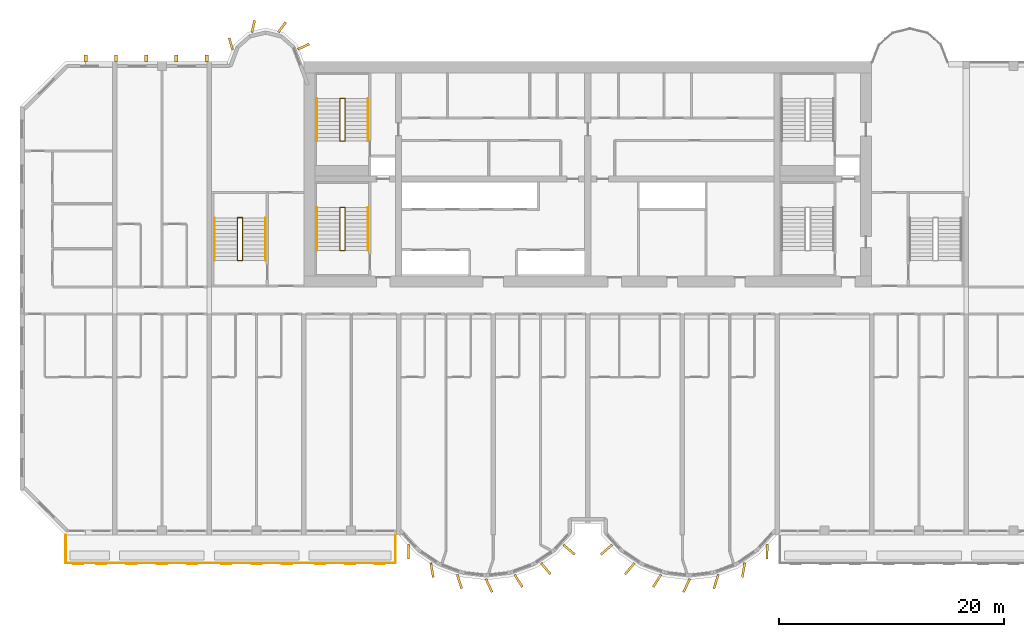
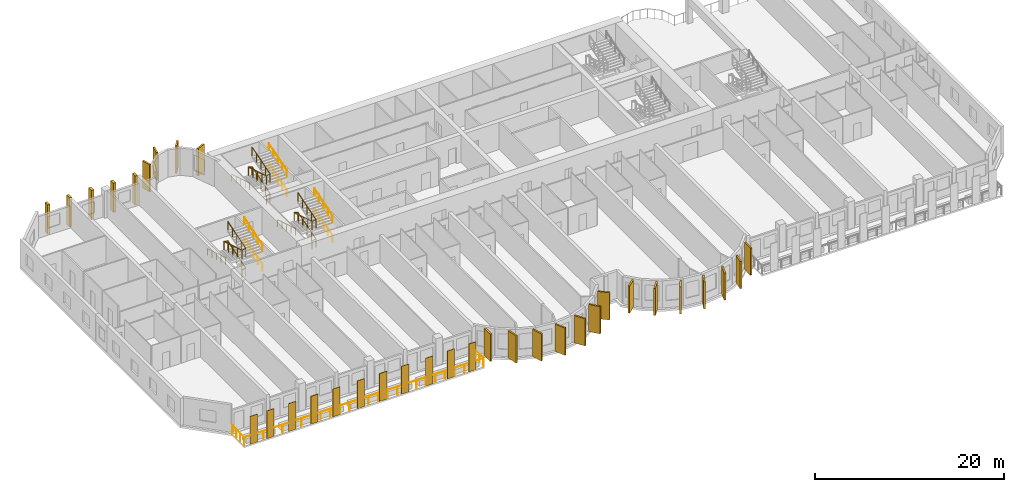
# One storey, part 12 of 14: 34 coverings, 13 railings.
"""IFC4 building model written with IfcOpenShell, lengths in metres."""

from ifc_helpers import new_model, si_unit, direction, frame, origin, origin_2d, place, context, subcontext, project, spatial, rectangle, circle, extrude, source, transform, mapped, material, layer, layer_set, material_profile, profile_set, type_object, element, save


model = new_model("IFC4")

# Units and contexts
model_context = context("Model", 3, precision=1e-05, world=origin(), true_north=direction((0.0, 1.0)))
body_context = subcontext(model_context, "Body", "Model", "MODEL_VIEW")
ifc_project = project(units=[si_unit("LENGTHUNIT", "METRE"), si_unit("AREAUNIT", "SQUARE_METRE"), si_unit("VOLUMEUNIT", "CUBIC_METRE"), si_unit("PLANEANGLEUNIT", "RADIAN"), si_unit("MASSUNIT", "GRAM", prefix="KILO")], contexts=[model_context])

# Site, building, storey
site_placement = place(None, origin())
site = spatial("IfcSite", under=ifc_project, at=site_placement, CompositionType="ELEMENT")
building_placement = place(site_placement, origin())
building = spatial("IfcBuilding", under=site, at=building_placement, Name="Vanashikhar Sky Hotel", CompositionType="ELEMENT")
storey_placement = place(building_placement, frame((0.0, 0.0, 73.39990234375)))
storey = spatial("IfcBuildingStorey", under=building, at=storey_placement, Name="L17", CompositionType="ELEMENT", Elevation=73.39990234375)

# Railing
ifc_material_1 = material(Name="Stainless steel 316", Category="steel")
railing_type_1 = type_object("IfcRailingType", Name="Balcony guard 1100", PredefinedType="GUARDRAIL", material=ifc_material_1)
shared_shape_1 = source(origin(), body_context, "Body", "SweptSolid", [
    extrude(circle(Radius=0.02392578125, at=origin_2d()), frame((0.0, 0.0, 1.076171875), z_axis=(0.0, -1.0, 0.0), x_axis=(1.0, 0.0, 0.0)), (0.0, 0.0, 1.0), 2.5),
    extrude(circle(Radius=0.02392578125, at=origin_2d()), frame((0.0, -2.5, 1.076171875), z_axis=(1.0, 0.0, 0.0), x_axis=(0.0, 1.0, 0.0)), (0.0, 0.0, 1.0), 29.280029296875),
    extrude(circle(Radius=0.02392578125, at=origin_2d()), frame((29.280029296875, -2.5, 1.076171875), z_axis=(0.0, 1.0, 0.0), x_axis=(-1.0, 0.0, 0.0)), (0.0, 0.0, 1.0), 2.5),
    extrude(circle(Radius=0.02099609375, at=origin_2d()), origin(), (0.0, 0.0, 1.0), 1.052001953125),
    extrude(circle(Radius=0.02099609375, at=origin_2d()), frame((0.0, -0.833251953125, 0.0)), (0.0, 0.0, 1.0), 1.052001953125),
    extrude(circle(Radius=0.02099609375, at=origin_2d()), frame((0.0, -1.666748046875, 0.0)), (0.0, 0.0, 1.0), 1.052001953125),
    extrude(circle(Radius=0.02099609375, at=origin_2d()), frame((0.0, -2.5, 0.0)), (0.0, 0.0, 1.0), 1.052001953125),
    extrude(circle(Radius=0.02099609375, at=origin_2d()), frame((1.171142578125, -2.5, 0.0)), (0.0, 0.0, 1.0), 1.052001953125),
    extrude(circle(Radius=0.02099609375, at=origin_2d()), frame((2.34228515625, -2.5, 0.0)), (0.0, 0.0, 1.0), 1.052001953125),
    extrude(circle(Radius=0.02099609375, at=origin_2d()), frame((3.513671875, -2.5, 0.0)), (0.0, 0.0, 1.0), 1.052001953125),
    extrude(circle(Radius=0.02099609375, at=origin_2d()), frame((4.684814453125, -2.5, 0.0)), (0.0, 0.0, 1.0), 1.052001953125),
    extrude(circle(Radius=0.02099609375, at=origin_2d()), frame((5.85595703125, -2.5, 0.0)), (0.0, 0.0, 1.0), 1.052001953125),
    extrude(circle(Radius=0.02099609375, at=origin_2d()), frame((7.027099609375, -2.5, 0.0)), (0.0, 0.0, 1.0), 1.052001953125),
    extrude(circle(Radius=0.02099609375, at=origin_2d()), frame((8.198486328125, -2.5, 0.0)), (0.0, 0.0, 1.0), 1.052001953125),
    extrude(circle(Radius=0.02099609375, at=origin_2d()), frame((9.36962890625, -2.5, 0.0)), (0.0, 0.0, 1.0), 1.052001953125),
    extrude(circle(Radius=0.02099609375, at=origin_2d()), frame((10.540771484375, -2.5, 0.0)), (0.0, 0.0, 1.0), 1.052001953125),
    extrude(circle(Radius=0.02099609375, at=origin_2d()), frame((11.7119140625, -2.5, 0.0)), (0.0, 0.0, 1.0), 1.052001953125),
    extrude(circle(Radius=0.02099609375, at=origin_2d()), frame((12.88330078125, -2.5, 0.0)), (0.0, 0.0, 1.0), 1.052001953125),
    extrude(circle(Radius=0.02099609375, at=origin_2d()), frame((14.054443359375, -2.5, 0.0)), (0.0, 0.0, 1.0), 1.052001953125),
    extrude(circle(Radius=0.02099609375, at=origin_2d()), frame((15.2255859375, -2.5, 0.0)), (0.0, 0.0, 1.0), 1.052001953125),
    extrude(circle(Radius=0.02099609375, at=origin_2d()), frame((16.396728515625, -2.5, 0.0)), (0.0, 0.0, 1.0), 1.052001953125),
    extrude(circle(Radius=0.02099609375, at=origin_2d()), frame((17.568115234375, -2.5, 0.0)), (0.0, 0.0, 1.0), 1.052001953125),
    extrude(circle(Radius=0.02099609375, at=origin_2d()), frame((18.7392578125, -2.5, 0.0)), (0.0, 0.0, 1.0), 1.052001953125),
    extrude(circle(Radius=0.02099609375, at=origin_2d()), frame((19.910400390625, -2.5, 0.0)), (0.0, 0.0, 1.0), 1.052001953125),
    extrude(circle(Radius=0.02099609375, at=origin_2d()), frame((21.08154296875, -2.5, 0.0)), (0.0, 0.0, 1.0), 1.052001953125),
    extrude(circle(Radius=0.02099609375, at=origin_2d()), frame((22.2529296875, -2.5, 0.0)), (0.0, 0.0, 1.0), 1.052001953125),
    extrude(circle(Radius=0.02099609375, at=origin_2d()), frame((23.424072265625, -2.5, 0.0)), (0.0, 0.0, 1.0), 1.052001953125),
    extrude(circle(Radius=0.02099609375, at=origin_2d()), frame((24.59521484375, -2.5, 0.0)), (0.0, 0.0, 1.0), 1.052001953125),
    extrude(circle(Radius=0.02099609375, at=origin_2d()), frame((25.766357421875, -2.5, 0.0)), (0.0, 0.0, 1.0), 1.052001953125),
    extrude(circle(Radius=0.02099609375, at=origin_2d()), frame((26.937744140625, -2.5, 0.0)), (0.0, 0.0, 1.0), 1.052001953125),
    extrude(circle(Radius=0.02099609375, at=origin_2d()), frame((28.10888671875, -2.5, 0.0)), (0.0, 0.0, 1.0), 1.052001953125),
    extrude(circle(Radius=0.02099609375, at=origin_2d()), frame((29.280029296875, -2.5, 0.0)), (0.0, 0.0, 1.0), 1.052001953125),
    extrude(circle(Radius=0.02099609375, at=origin_2d()), frame((29.280029296875, -1.666748046875, 0.0)), (0.0, 0.0, 1.0), 1.052001953125),
    extrude(circle(Radius=0.02099609375, at=origin_2d()), frame((29.280029296875, -0.833251953125, 0.0)), (0.0, 0.0, 1.0), 1.052001953125),
    extrude(circle(Radius=0.02099609375, at=origin_2d()), frame((29.280029296875, 0.0, 0.0)), (0.0, 0.0, 1.0), 1.052001953125),
])
railing_1_placement = place(storey_placement, frame((4.06005859375, 0.0, -0.0498046875)))
element("IfcRailing", 1, at=railing_1_placement, inside=storey, type_object=railing_type_1, Name="Balcony guard", PredefinedType="GUARDRAIL", context=body_context, shape_type="MappedRepresentation", body=[
    mapped(shared_shape_1, transform((0.0, 0.0, 0.0), scale=1.0)),
])

# Coverings
ifc_material_2 = material(Name="Terracotta", Category="masonry")
ifc_layer = layer(ifc_material_2, 0.06005859375)
ifc_layer_set = layer_set([ifc_layer], Name="Terracotta baguette screen")
covering_type_1 = type_object("IfcCoveringType", Name="Terracotta baguette screen", PredefinedType="CLADDING", material=ifc_layer_set)
shared_shape_2 = source(origin(), body_context, "Body", "SweptSolid", [
    extrude(rectangle(XDim=0.89990234375, YDim=0.06005859375, at=origin_2d()), origin(), (0.0, 0.0, 1.0), 3.60009765625),
])
for number, where, z_axis, x_axis, name in (
    (2, (5.175048828125, -2.570068359375, -0.050048828125), (0.0, 0.0, 1.0), (1.0, 0.0, 0.0), "Terracotta screen"),
    (3, (7.22509765625, -2.570068359375, -0.050048828125), (0.0, 0.0, 1.0), (1.0, 0.0, 0.0), "Terracotta screen"),
    (4, (9.89990234375, -2.570068359375, -0.050048828125), (0.0, 0.0, 1.0), (1.0, 0.0, 0.0), "Terracotta screen"),
    (5, (12.60009765625, -2.570068359375, -0.050048828125), (0.0, 0.0, 1.0), (1.0, 0.0, 0.0), "Terracotta screen"),
    (6, (15.300048828125, -2.570068359375, -0.050048828125), (0.0, 0.0, 1.0), (1.0, 0.0, 0.0), "Terracotta screen"),
    (7, (18.300048828125, -2.570068359375, -0.050048828125), (0.0, 0.0, 1.0), (1.0, 0.0, 0.0), "Terracotta screen"),
    (8, (21.0, -2.570068359375, -0.050048828125), (0.0, 0.0, 1.0), (1.0, 0.0, 0.0), "Terracotta screen"),
    (9, (23.699951171875, -2.570068359375, -0.050048828125), (0.0, 0.0, 1.0), (1.0, 0.0, 0.0), "Terracotta screen"),
    (10, (26.666748046875, -2.570068359375, -0.050048828125), (0.0, 0.0, 1.0), (1.0, 0.0, 0.0), "Terracotta screen"),
    (11, (29.300048828125, -2.570068359375, -0.050048828125), (0.0, 0.0, 1.0), (1.0, 0.0, 0.0), "Terracotta screen"),
    (12, (31.933349609375, -2.570068359375, -0.050048828125), (0.0, 0.0, 1.0), (1.0, 0.0, 0.0), "Terracotta screen"),
):
    element("IfcCovering", number, at=place(storey_placement, frame(where, z_axis=z_axis, x_axis=x_axis)), inside=storey, type_object=covering_type_1, Name=name, PredefinedType="CLADDING", context=body_context, shape_type="MappedRepresentation", body=[
        mapped(shared_shape_2, transform((0.0, 0.0, 0.0), scale=1.0)),
    ])
ifc_material_3 = material(Name="Concrete M60 dark", Category="concrete")
ifc_material_profile_1 = material_profile(ifc_material_3, rectangle(XDim=1.300048828125, YDim=0.199951171875, at=origin_2d()))
ifc_profile_set_1 = profile_set([ifc_material_profile_1], Name="Fin 1300 x 200")
covering_type_2 = type_object("IfcCoveringType", Name="Fin 1300 x 200", PredefinedType="CLADDING", material=ifc_profile_set_1)
shared_shape_3 = source(origin(), body_context, "Body", "SweptSolid", [
    extrude(rectangle(XDim=1.300048828125, YDim=0.199951171875, at=origin_2d()), origin(), (0.0, 0.0, 1.0), 3.52001953125),
])
for number, where, z_axis, x_axis, name in (
    (13, (34.482421875, -1.507080078125, 0.0), (0.0, 0.0, 1.0), (0.011588726826, -0.999932848451, 0.0), "Fin F1-1"),
    (14, (36.572509765625, -3.1220703125, 0.0), (0.0, 0.0, 1.0), (0.16989991575, -0.985461322746, 0.0), "Fin F1-2"),
    (15, (39.00830078125, -4.14306640625, 0.0), (0.0, 0.0, 1.0), (0.303966551867, -0.952682704444, 0.0), "Fin F1-3"),
    (16, (41.63232421875, -4.49853515625, 0.0), (0.0, 0.0, 1.0), (0.422618261741, -0.906307787037, 0.0), "Fin F1-4"),
    (17, (44.251953125, -4.083984375, 0.0), (0.0, 0.0, 1.0), (0.534411358496, -0.845224526331, 0.0), "Fin F1-5"),
    (18, (46.676025390625, -3.0, 0.0), (0.0, 0.0, 1.0), (0.645697609467, -0.763593214433, 0.0), "Fin F1-6"),
    (19, (48.7412109375, -1.3154296875, 0.0), (0.0, 0.0, 1.0), (0.758543912032, -0.65162192529, 0.0), "Fin F1-7"),
    (20, (52.058837890625, -1.3154296875, 0.0), (0.0, 0.0, 1.0), (-0.758543912032, -0.65162192529, 0.0), "Fin F2-1"),
    (21, (54.123779296875, -3.0, 0.0), (0.0, 0.0, 1.0), (-0.645697609467, -0.763593214433, 0.0), "Fin F2-2"),
    (22, (56.547119140625, -4.083984375, 0.0), (0.0, 0.0, 1.0), (-0.534411358496, -0.845224526331, 0.0), "Fin F2-3"),
    (23, (59.16748046875, -4.49853515625, 0.0), (0.0, 0.0, 1.0), (-0.422618261741, -0.906307787037, 0.0), "Fin F2-4"),
    (24, (61.790771484375, -4.14306640625, 0.0), (0.0, 0.0, 1.0), (-0.303966551867, -0.952682704444, 0.0), "Fin F2-5"),
    (25, (64.2275390625, -3.1220703125, 0.0), (0.0, 0.0, 1.0), (-0.16989991575, -0.985461322746, 0.0), "Fin F2-6"),
    (26, (66.317626953125, -1.507080078125, 0.0), (0.0, 0.0, 1.0), (-0.011588726826, -0.999932848451, 0.0), "Fin F2-7"),
):
    element("IfcCovering", number, at=place(storey_placement, frame(where, z_axis=z_axis, x_axis=x_axis)), inside=storey, type_object=covering_type_2, Name=name, PredefinedType="CLADDING", context=body_context, shape_type="MappedRepresentation", body=[
        mapped(shared_shape_3, transform((0.0, 0.0, 0.0), scale=1.0)),
    ])
ifc_material_profile_2 = material_profile(ifc_material_3, rectangle(XDim=1.10009765625, YDim=0.199951171875, at=origin_2d()))
ifc_profile_set_2 = profile_set([ifc_material_profile_2], Name="Rear lobe fin 1100 x 200")
covering_type_3 = type_object("IfcCoveringType", Name="Rear lobe fin 1100 x 200", PredefinedType="CLADDING", material=ifc_profile_set_2)
shared_shape_4 = source(origin(), body_context, "Body", "SweptSolid", [
    extrude(rectangle(XDim=1.10009765625, YDim=0.199951171875, at=origin_2d()), origin(), (0.0, 0.0, 1.0), 3.52001953125),
])
for number, where, z_axis, x_axis, name in (
    (27, (18.720703125, 43.580078125, 0.0), (0.0, 0.0, 1.0), (-0.262711264409, 0.964874495234, 0.0), "Fin R1-1"),
    (28, (20.710205078125, 45.1455078125, 0.0), (0.0, 0.0, 1.0), (0.224644935864, 0.974440687159, 0.0), "Fin R1-2"),
    (29, (23.261962890625, 45.06640625, 0.0), (0.0, 0.0, 1.0), (0.602065892195, 0.798446404874, 0.0), "Fin R1-3"),
    (30, (25.169677734375, 43.33447265625, 0.0), (0.0, 0.0, 1.0), (0.908004291068, 0.418960866193, 0.0), "Fin R1-4"),
):
    element("IfcCovering", number, at=place(storey_placement, frame(where, z_axis=z_axis, x_axis=x_axis)), inside=storey, type_object=covering_type_3, Name=name, PredefinedType="CLADDING", context=body_context, shape_type="MappedRepresentation", body=[
        mapped(shared_shape_4, transform((0.0, 0.0, 0.0), scale=1.0)),
    ])
ifc_material_profile_3 = material_profile(ifc_material_3, rectangle(XDim=0.60009765625, YDim=0.300048828125, at=origin_2d()))
ifc_profile_set_3 = profile_set([ifc_material_profile_3], Name="Rear rib 600 x 300")
covering_type_4 = type_object("IfcCoveringType", Name="Rear rib 600 x 300", PredefinedType="CLADDING", material=ifc_profile_set_3)
shared_shape_5 = source(origin(), body_context, "Body", "SweptSolid", [
    extrude(rectangle(XDim=0.60009765625, YDim=0.300048828125, at=origin_2d()), origin(), (0.0, 0.0, 1.0), 3.7998046875),
])
for number, where, z_axis, x_axis, name in (
    (31, (5.840087890625, 42.300048828125, -0.27978515625), (0.0, 0.0, 1.0), (0.0, 1.0, 0.0), "Rear rib"),
    (32, (8.52001953125, 42.300048828125, -0.27978515625), (0.0, 0.0, 1.0), (0.0, 1.0, 0.0), "Rear rib"),
    (33, (11.199951171875, 42.300048828125, -0.27978515625), (0.0, 0.0, 1.0), (0.0, 1.0, 0.0), "Rear rib"),
    (34, (13.8798828125, 42.300048828125, -0.27978515625), (0.0, 0.0, 1.0), (0.0, 1.0, 0.0), "Rear rib"),
    (35, (16.56005859375, 42.300048828125, -0.27978515625), (0.0, 0.0, 1.0), (0.0, 1.0, 0.0), "Rear rib"),
):
    element("IfcCovering", number, at=place(storey_placement, frame(where, z_axis=z_axis, x_axis=x_axis)), inside=storey, type_object=covering_type_4, Name=name, PredefinedType="CLADDING", context=body_context, shape_type="MappedRepresentation", body=[
        mapped(shared_shape_5, transform((0.0, 0.0, 0.0), scale=1.0)),
    ])

# Railings
ifc_material_4 = material(Name="Steel S355", Category="steel")
railing_type_2 = type_object("IfcRailingType", Name="Stair handrail 900", PredefinedType="HANDRAIL", material=ifc_material_4)
shared_shape_6 = source(origin(), body_context, "Body", "SweptSolid", [
    extrude(circle(Radius=0.02392578125, at=origin_2d()), frame((0.0, 0.0, 0.8759765625), z_axis=(0.0, 0.95635109408, 0.292220096591), x_axis=(-1.0, 0.0, 0.0)), (0.0, 0.0, 1.0), 3.973388671875),
    extrude(circle(Radius=0.02099609375, at=origin_2d()), origin(), (0.0, 0.0, 1.0), 0.851806640625),
    extrude(circle(Radius=0.02099609375, at=origin_2d()), frame((0.0, 0.949951171875, 0.290283203125)), (0.0, 0.0, 1.0), 0.851806640625),
    extrude(circle(Radius=0.02099609375, at=origin_2d()), frame((0.0, 1.89990234375, 0.58056640625)), (0.0, 0.0, 1.0), 0.851806640625),
    extrude(circle(Radius=0.02099609375, at=origin_2d()), frame((0.0, 2.85009765625, 0.870849609375)), (0.0, 0.0, 1.0), 0.851806640625),
    extrude(circle(Radius=0.02099609375, at=origin_2d()), frame((0.0, 3.800048828125, 1.1611328125)), (0.0, 0.0, 1.0), 0.851806640625),
])
for number, where, name in (
    (36, (30.89990234375, 25.25, 0.105712890625), "Exit stair 1 handrail"),
    (37, (30.89990234375, 25.25, 2.638916015625), "Exit stair 1 handrail"),
    (38, (30.89990234375, 34.949951171875, 0.105712890625), "Exit stair 5 handrail"),
    (39, (30.89990234375, 34.949951171875, 2.638916015625), "Exit stair 5 handrail"),
):
    element("IfcRailing", number, at=place(storey_placement, frame(where)), inside=storey, type_object=railing_type_2, Name=name, PredefinedType="HANDRAIL", context=body_context, shape_type="MappedRepresentation", body=[
        mapped(shared_shape_6, transform((0.0, 0.0, 0.0), scale=1.0)),
    ])
shared_shape_7 = source(origin(), body_context, "Body", "SweptSolid", [
    extrude(circle(Radius=0.02392578125, at=origin_2d()), frame((0.0, 0.0, 0.8759765625), z_axis=(0.0, -0.95635109408, 0.292220096591), x_axis=(1.0, 0.0, 0.0)), (0.0, 0.0, 1.0), 3.973388671875),
    extrude(circle(Radius=0.02099609375, at=origin_2d()), origin(), (0.0, 0.0, 1.0), 0.851806640625),
    extrude(circle(Radius=0.02099609375, at=origin_2d()), frame((0.0, -0.949951171875, 0.290283203125)), (0.0, 0.0, 1.0), 0.851806640625),
    extrude(circle(Radius=0.02099609375, at=origin_2d()), frame((0.0, -1.89990234375, 0.58056640625)), (0.0, 0.0, 1.0), 0.851806640625),
    extrude(circle(Radius=0.02099609375, at=origin_2d()), frame((0.0, -2.85009765625, 0.870849609375)), (0.0, 0.0, 1.0), 0.851806640625),
    extrude(circle(Radius=0.02099609375, at=origin_2d()), frame((0.0, -3.800048828125, 1.1611328125)), (0.0, 0.0, 1.0), 0.851806640625),
])
for number, where, name in (
    (40, (26.35009765625, 29.050048828125, 1.372314453125), "Exit stair 1 handrail"),
    (41, (26.35009765625, 38.75, 1.372314453125), "Exit stair 5 handrail"),
):
    element("IfcRailing", number, at=place(storey_placement, frame(where)), inside=storey, type_object=railing_type_2, Name=name, PredefinedType="HANDRAIL", context=body_context, shape_type="MappedRepresentation", body=[
        mapped(shared_shape_7, transform((0.0, 0.0, 0.0), scale=1.0)),
    ])
railing_type_3 = type_object("IfcRailingType", Name="Stair guard 1100", PredefinedType="GUARDRAIL", material=ifc_material_4)
shared_shape_8 = source(origin(), body_context, "Body", "SweptSolid", [
    extrude(circle(Radius=0.02392578125, at=origin_2d()), frame((0.0, 0.0, 1.076171875), z_axis=(0.973520925263, 0.0, 0.228597917917), x_axis=(0.0, 1.0, 0.0)), (0.0, 0.0, 1.0), 0.46240234375),
    extrude(circle(Radius=0.02392578125, at=origin_2d()), frame((0.4501953125, 0.0, 1.181640625), z_axis=(0.0, 0.95635109408, 0.292220096591), x_axis=(-1.0, 0.0, 0.0)), (0.0, 0.0, 1.0), 3.973388671875),
    extrude(circle(Radius=0.02392578125, at=origin_2d()), frame((0.4501953125, 3.800048828125, 2.3427734375), z_axis=(-0.973638301096, 0.0, 0.228097476179), x_axis=(0.0, -1.0, 0.0)), (0.0, 0.0, 1.0), 0.46240234375),
    extrude(circle(Radius=0.02392578125, at=origin_2d()), frame((0.0, 3.800048828125, 2.4482421875), z_axis=(0.0, -0.95635109408, 0.292220096591), x_axis=(1.0, 0.0, 0.0)), (0.0, 0.0, 1.0), 3.973388671875),
    extrude(circle(Radius=0.02392578125, at=origin_2d()), frame((0.0, 0.0, 3.609375), z_axis=(0.973638301096, 0.0, 0.228097476179), x_axis=(0.0, 1.0, 0.0)), (0.0, 0.0, 1.0), 0.46240234375),
    extrude(circle(Radius=0.02392578125, at=origin_2d()), frame((0.4501953125, 0.0, 3.71484375), z_axis=(0.0, 0.95635109408, 0.292220096591), x_axis=(-1.0, 0.0, 0.0)), (0.0, 0.0, 1.0), 3.973388671875),
    extrude(circle(Radius=0.02099609375, at=origin_2d()), origin(), (0.0, 0.0, 1.0), 1.052001953125),
    extrude(circle(Radius=0.02099609375, at=origin_2d()), frame((0.4501953125, 0.0, 0.105712890625)), (0.0, 0.0, 1.0), 1.052001953125),
    extrude(circle(Radius=0.02099609375, at=origin_2d()), frame((0.4501953125, 0.949951171875, 0.39599609375)), (0.0, 0.0, 1.0), 1.052001953125),
    extrude(circle(Radius=0.02099609375, at=origin_2d()), frame((0.4501953125, 1.89990234375, 0.686279296875)), (0.0, 0.0, 1.0), 1.052001953125),
    extrude(circle(Radius=0.02099609375, at=origin_2d()), frame((0.4501953125, 2.85009765625, 0.9765625)), (0.0, 0.0, 1.0), 1.052001953125),
    extrude(circle(Radius=0.02099609375, at=origin_2d()), frame((0.4501953125, 3.800048828125, 1.266845703125)), (0.0, 0.0, 1.0), 1.052001953125),
    extrude(circle(Radius=0.02099609375, at=origin_2d()), frame((0.0, 3.800048828125, 1.372314453125)), (0.0, 0.0, 1.0), 1.052001953125),
    extrude(circle(Radius=0.02099609375, at=origin_2d()), frame((0.0, 2.85009765625, 1.66259765625)), (0.0, 0.0, 1.0), 1.052001953125),
    extrude(circle(Radius=0.02099609375, at=origin_2d()), frame((0.0, 1.89990234375, 1.952880859375)), (0.0, 0.0, 1.0), 1.052001953125),
    extrude(circle(Radius=0.02099609375, at=origin_2d()), frame((0.0, 0.949951171875, 2.2431640625)), (0.0, 0.0, 1.0), 1.052001953125),
    extrude(circle(Radius=0.02099609375, at=origin_2d()), frame((0.0, 0.0, 2.533447265625)), (0.0, 0.0, 1.0), 1.052001953125),
    extrude(circle(Radius=0.02099609375, at=origin_2d()), frame((0.4501953125, 0.0, 2.638916015625)), (0.0, 0.0, 1.0), 1.052001953125),
    extrude(circle(Radius=0.02099609375, at=origin_2d()), frame((0.4501953125, 0.949951171875, 2.92919921875)), (0.0, 0.0, 1.0), 1.052001953125),
    extrude(circle(Radius=0.02099609375, at=origin_2d()), frame((0.4501953125, 1.89990234375, 3.219482421875)), (0.0, 0.0, 1.0), 1.052001953125),
    extrude(circle(Radius=0.02099609375, at=origin_2d()), frame((0.4501953125, 2.85009765625, 3.509765625)), (0.0, 0.0, 1.0), 1.052001953125),
    extrude(circle(Radius=0.02099609375, at=origin_2d()), frame((0.4501953125, 3.800048828125, 3.800048828125)), (0.0, 0.0, 1.0), 1.052001953125),
])
for number, where, name in (
    (42, (28.39990234375, 25.25, 0.0), "Exit stair 1 guard"),
    (43, (28.39990234375, 34.949951171875, 0.0), "Exit stair 5 guard"),
):
    element("IfcRailing", number, at=place(storey_placement, frame(where)), inside=storey, type_object=railing_type_3, Name=name, PredefinedType="GUARDRAIL", context=body_context, shape_type="MappedRepresentation", body=[
        mapped(shared_shape_8, transform((0.0, 0.0, 0.0), scale=1.0)),
    ])
shared_shape_9 = source(origin(), body_context, "Body", "SweptSolid", [
    extrude(circle(Radius=0.02392578125, at=origin_2d()), frame((0.0, 0.0, 0.8759765625), z_axis=(0.0, 0.956345846891, 0.292237268557), x_axis=(-1.0, 0.0, 0.0)), (0.0, 0.0, 1.0), 3.97314453125),
    extrude(circle(Radius=0.02099609375, at=origin_2d()), origin(), (0.0, 0.0, 1.0), 0.851806640625),
    extrude(circle(Radius=0.02099609375, at=origin_2d()), frame((0.0, 0.949951171875, 0.290283203125)), (0.0, 0.0, 1.0), 0.851806640625),
    extrude(circle(Radius=0.02099609375, at=origin_2d()), frame((0.0, 1.89990234375, 0.58056640625)), (0.0, 0.0, 1.0), 0.851806640625),
    extrude(circle(Radius=0.02099609375, at=origin_2d()), frame((0.0, 2.849853515625, 0.870849609375)), (0.0, 0.0, 1.0), 0.851806640625),
    extrude(circle(Radius=0.02099609375, at=origin_2d()), frame((0.0, 3.7998046875, 1.1611328125)), (0.0, 0.0, 1.0), 0.851806640625),
])
for number, where, name in (
    (44, (21.800048828125, 24.35009765625, 0.105712890625), "Exit stair 3 handrail"),
    (45, (21.800048828125, 24.35009765625, 2.638916015625), "Exit stair 3 handrail"),
):
    element("IfcRailing", number, at=place(storey_placement, frame(where)), inside=storey, type_object=railing_type_2, Name=name, PredefinedType="HANDRAIL", context=body_context, shape_type="MappedRepresentation", body=[
        mapped(shared_shape_9, transform((0.0, 0.0, 0.0), scale=1.0)),
    ])
shared_shape_10 = source(origin(), body_context, "Body", "SweptSolid", [
    extrude(circle(Radius=0.02392578125, at=origin_2d()), frame((0.0, 0.0, 0.8759765625), z_axis=(0.0, -0.956345846891, 0.292237268557), x_axis=(1.0, 0.0, 0.0)), (0.0, 0.0, 1.0), 3.97314453125),
    extrude(circle(Radius=0.02099609375, at=origin_2d()), origin(), (0.0, 0.0, 1.0), 0.851806640625),
    extrude(circle(Radius=0.02099609375, at=origin_2d()), frame((0.0, -0.949951171875, 0.290283203125)), (0.0, 0.0, 1.0), 0.851806640625),
    extrude(circle(Radius=0.02099609375, at=origin_2d()), frame((0.0, -1.89990234375, 0.58056640625)), (0.0, 0.0, 1.0), 0.851806640625),
    extrude(circle(Radius=0.02099609375, at=origin_2d()), frame((0.0, -2.849853515625, 0.870849609375)), (0.0, 0.0, 1.0), 0.851806640625),
    extrude(circle(Radius=0.02099609375, at=origin_2d()), frame((0.0, -3.7998046875, 1.1611328125)), (0.0, 0.0, 1.0), 0.851806640625),
])
railing_2_placement = place(storey_placement, frame((17.25, 28.14990234375, 1.372314453125)))
element("IfcRailing", 46, at=railing_2_placement, inside=storey, type_object=railing_type_2, Name="Exit stair 3 handrail", PredefinedType="HANDRAIL", context=body_context, shape_type="MappedRepresentation", body=[
    mapped(shared_shape_10, transform((0.0, 0.0, 0.0), scale=1.0)),
])
shared_shape_11 = source(origin(), body_context, "Body", "SweptSolid", [
    extrude(circle(Radius=0.02392578125, at=origin_2d()), frame((0.0, 0.0, 1.076171875), z_axis=(0.973493315427, 0.0, 0.228715466945), x_axis=(0.0, 1.0, 0.0)), (0.0, 0.0, 1.0), 0.462158203125),
    extrude(circle(Radius=0.02392578125, at=origin_2d()), frame((0.449951171875, 0.0, 1.181640625), z_axis=(0.0, 0.956345846891, 0.292237268557), x_axis=(-1.0, 0.0, 0.0)), (0.0, 0.0, 1.0), 3.97314453125),
    extrude(circle(Radius=0.02392578125, at=origin_2d()), frame((0.449951171875, 3.7998046875, 2.3427734375), z_axis=(-0.973610808694, 0.0, 0.228214796178), x_axis=(0.0, -1.0, 0.0)), (0.0, 0.0, 1.0), 0.462158203125),
    extrude(circle(Radius=0.02392578125, at=origin_2d()), frame((0.0, 3.7998046875, 2.4482421875), z_axis=(0.0, -0.956345846891, 0.292237268557), x_axis=(1.0, 0.0, 0.0)), (0.0, 0.0, 1.0), 3.97314453125),
    extrude(circle(Radius=0.02392578125, at=origin_2d()), frame((0.0, 0.0, 3.609375), z_axis=(0.973610808694, 0.0, 0.228214796178), x_axis=(0.0, 1.0, 0.0)), (0.0, 0.0, 1.0), 0.462158203125),
    extrude(circle(Radius=0.02392578125, at=origin_2d()), frame((0.449951171875, 0.0, 3.71484375), z_axis=(0.0, 0.956345846891, 0.292237268557), x_axis=(-1.0, 0.0, 0.0)), (0.0, 0.0, 1.0), 3.97314453125),
    extrude(circle(Radius=0.02099609375, at=origin_2d()), origin(), (0.0, 0.0, 1.0), 1.052001953125),
    extrude(circle(Radius=0.02099609375, at=origin_2d()), frame((0.449951171875, 0.0, 0.105712890625)), (0.0, 0.0, 1.0), 1.052001953125),
    extrude(circle(Radius=0.02099609375, at=origin_2d()), frame((0.449951171875, 0.949951171875, 0.39599609375)), (0.0, 0.0, 1.0), 1.052001953125),
    extrude(circle(Radius=0.02099609375, at=origin_2d()), frame((0.449951171875, 1.89990234375, 0.686279296875)), (0.0, 0.0, 1.0), 1.052001953125),
    extrude(circle(Radius=0.02099609375, at=origin_2d()), frame((0.449951171875, 2.849853515625, 0.9765625)), (0.0, 0.0, 1.0), 1.052001953125),
    extrude(circle(Radius=0.02099609375, at=origin_2d()), frame((0.449951171875, 3.7998046875, 1.266845703125)), (0.0, 0.0, 1.0), 1.052001953125),
    extrude(circle(Radius=0.02099609375, at=origin_2d()), frame((0.0, 3.7998046875, 1.372314453125)), (0.0, 0.0, 1.0), 1.052001953125),
    extrude(circle(Radius=0.02099609375, at=origin_2d()), frame((0.0, 2.849853515625, 1.66259765625)), (0.0, 0.0, 1.0), 1.052001953125),
    extrude(circle(Radius=0.02099609375, at=origin_2d()), frame((0.0, 1.89990234375, 1.952880859375)), (0.0, 0.0, 1.0), 1.052001953125),
    extrude(circle(Radius=0.02099609375, at=origin_2d()), frame((0.0, 0.949951171875, 2.2431640625)), (0.0, 0.0, 1.0), 1.052001953125),
    extrude(circle(Radius=0.02099609375, at=origin_2d()), frame((0.0, 0.0, 2.533447265625)), (0.0, 0.0, 1.0), 1.052001953125),
    extrude(circle(Radius=0.02099609375, at=origin_2d()), frame((0.449951171875, 0.0, 2.638916015625)), (0.0, 0.0, 1.0), 1.052001953125),
    extrude(circle(Radius=0.02099609375, at=origin_2d()), frame((0.449951171875, 0.949951171875, 2.92919921875)), (0.0, 0.0, 1.0), 1.052001953125),
    extrude(circle(Radius=0.02099609375, at=origin_2d()), frame((0.449951171875, 1.89990234375, 3.219482421875)), (0.0, 0.0, 1.0), 1.052001953125),
    extrude(circle(Radius=0.02099609375, at=origin_2d()), frame((0.449951171875, 2.849853515625, 3.509765625)), (0.0, 0.0, 1.0), 1.052001953125),
    extrude(circle(Radius=0.02099609375, at=origin_2d()), frame((0.449951171875, 3.7998046875, 3.800048828125)), (0.0, 0.0, 1.0), 1.052001953125),
])
railing_3_placement = place(storey_placement, frame((19.300048828125, 24.35009765625, 0.0)))
element("IfcRailing", 47, at=railing_3_placement, inside=storey, type_object=railing_type_3, Name="Exit stair 3 guard", PredefinedType="GUARDRAIL", context=body_context, shape_type="MappedRepresentation", body=[
    mapped(shared_shape_11, transform((0.0, 0.0, 0.0), scale=1.0)),
])

save(model, "model.ifc")
